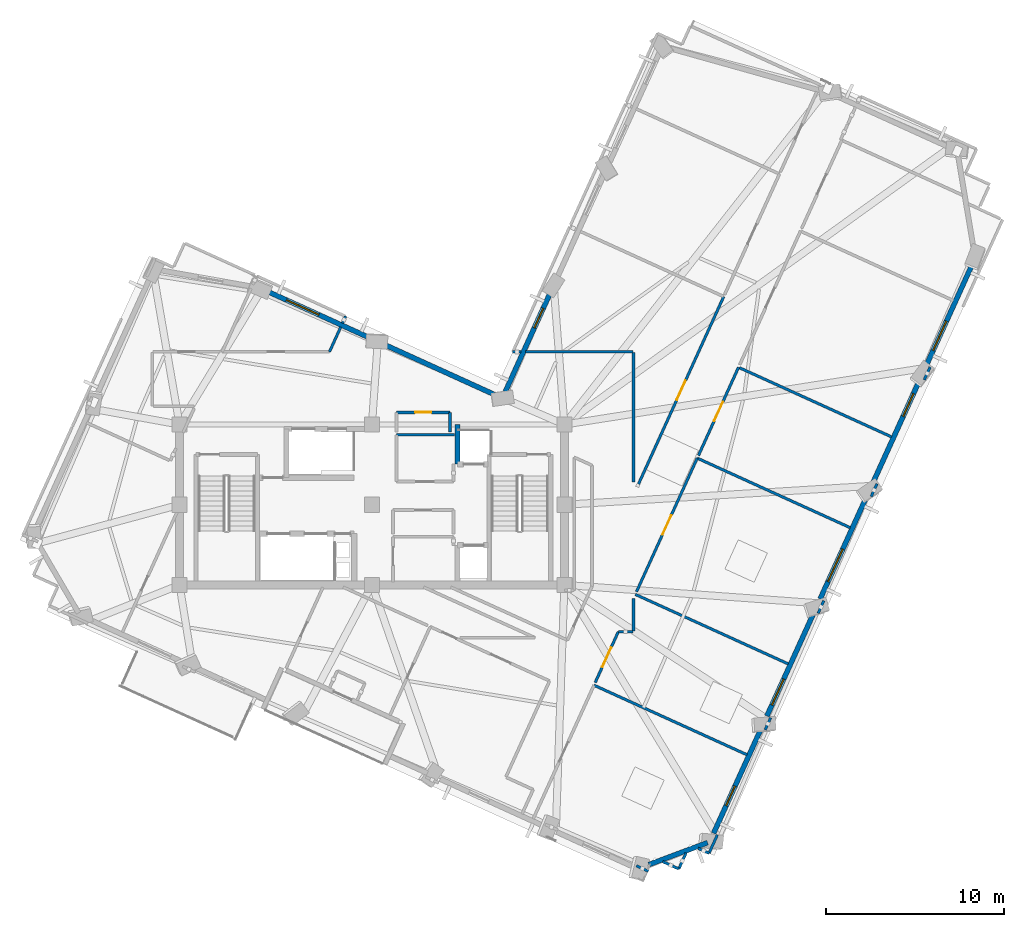
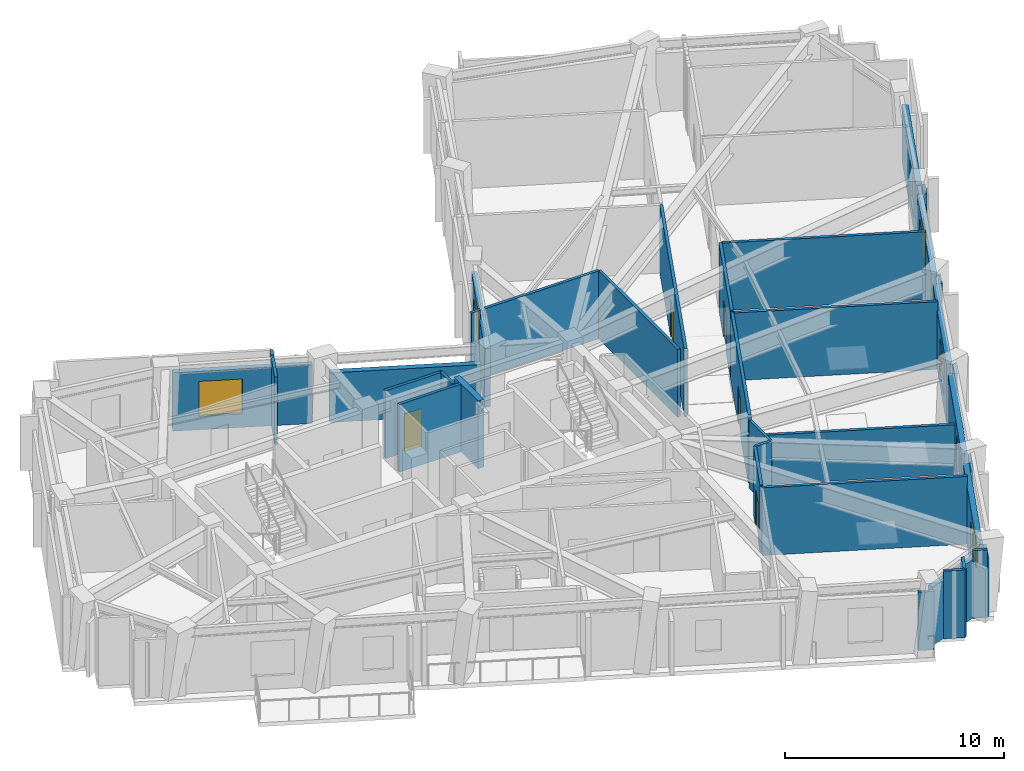
# One storey, part 7 of 13: 37 walls, 7 windows, 5 doors, 12 openings.
"""IFC4 building model written with IfcOpenShell, lengths in metres."""

from ifc_helpers import new_model, si_unit, direction, frame, frame_2d, origin, place, context, subcontext, project, spatial, rectangle, extrude, material, layer, layer_set, type_object, element, fill, save


model = new_model("IFC4")

# Units and contexts
model_context = context("Model", 3, precision=1e-05, world=origin(), true_north=direction((0.0, 1.0)))
body_context = subcontext(model_context, "Body", "Model", "MODEL_VIEW")
ifc_project = project(units=[si_unit("LENGTHUNIT", "METRE"), si_unit("AREAUNIT", "SQUARE_METRE"), si_unit("VOLUMEUNIT", "CUBIC_METRE"), si_unit("PLANEANGLEUNIT", "RADIAN"), si_unit("MASSUNIT", "GRAM", prefix="KILO")], contexts=[model_context])

# Site, building, storey
site_placement = place(None, origin())
site = spatial("IfcSite", under=ifc_project, at=site_placement, CompositionType="ELEMENT")
building_placement = place(site_placement, origin())
building = spatial("IfcBuilding", under=site, at=building_placement, Name="Gaonmaruhae Medical Tower", CompositionType="ELEMENT")
storey_placement = place(building_placement, frame((0.0, 0.0, 304.60009765625)))
storey = spatial("IfcBuildingStorey", under=building, at=storey_placement, Name="L73", CompositionType="ELEMENT", Elevation=304.60009765625)

# Wall, opening, window
ifc_material_1 = material(Name="Precast concrete C45/55", Category="concrete")
ifc_layer_1 = layer(ifc_material_1, 0.280029296875)
ifc_layer_set_1 = layer_set([ifc_layer_1], Name="Precast concrete C45/55")
wall_type_1 = type_object("IfcWallType", Name="EW-280 Upper Precast Masonry-Frame Facade Wall", PredefinedType="SOLIDWALL", material=ifc_layer_set_1)
wall_1_placement = place(storey_placement, frame((46.65869140625, -0.236083984375, 0.0), z_axis=(0.0, 0.0, 1.0), x_axis=(-0.41389938211, -0.910322635931, 0.0)))
wall_1 = element("IfcWall", 1, at=wall_1_placement, inside=storey, type_object=wall_type_1, Name="L73 Precast Masonry-Frame Wall S01-S02", PredefinedType="SOLIDWALL", context=body_context, shape_type="SweptSolid", body=[
    extrude(rectangle(XDim=6.48486328125, YDim=0.280029296875, at=frame_2d((3.242431640625, 0.0))), origin(), (0.0, 0.0, 1.0), 3.264892578125),
])
opening_1_placement = place(wall_1_placement, frame((3.581298828125, 0.0, 0.75)))
opening_1 = element("IfcOpeningElement", 2, at=opening_1_placement, cuts=wall_1, Name="Opening WN-05", PredefinedType="OPENING", context=body_context, shape_type="SweptSolid", body=[
    extrude(rectangle(XDim=1.199951171875, YDim=1.75, at=frame_2d((0.60009765625, 0.875))), frame((0.0, 0.14990234375, 0.0), z_axis=(0.0, -1.0, 0.0), x_axis=(1.0, 0.0, 0.0)), (0.0, 0.0, 1.0), 0.300048828125),
])
ifc_material_2 = material(Name="Anodised aluminium and Low-E double glazing", Category="aluminium")
window_type_1 = type_object("IfcWindowType", Name="WN-05 Support & Staff Punched Window 1200x1750", PartitioningType="SINGLE_PANEL", PredefinedType="WINDOW", material=ifc_material_2)
window_1_placement = place(opening_1_placement, origin())
window_1 = element("IfcWindow", 3, at=window_1_placement, inside=storey, type_object=window_type_1, Name="L73 Modular Facade Window S01", OverallHeight=1.75, OverallWidth=1.199951171875, PartitioningType="SINGLE_PANEL", PredefinedType="WINDOW", context=body_context, shape_type="SweptSolid", body=[
    extrude(rectangle(XDim=1.199951171875, YDim=1.75, at=frame_2d((0.60009765625, 0.875))), frame((0.0, 0.030029296875, 0.0), z_axis=(0.0, -1.0, 0.0), x_axis=(1.0, 0.0, 0.0)), (0.0, 0.0, 1.0), 0.06005859375),
])
fill(opening_1, window_1)

wall_2_placement = place(storey_placement, frame((49.63134765625, 6.3017578125, 0.0), z_axis=(0.0, 0.0, 1.0), x_axis=(-0.413905785978, -0.910319724236, 0.0)))
wall_2 = element("IfcWall", 4, at=wall_2_placement, inside=storey, type_object=wall_type_1, Name="L73 Precast Masonry-Frame Wall S02-S03", PredefinedType="SOLIDWALL", context=body_context, shape_type="SweptSolid", body=[
    extrude(rectangle(XDim=6.438720703125, YDim=0.280029296875, at=frame_2d((3.21923828125, 0.0))), origin(), (0.0, 0.0, 1.0), 3.264892578125),
])
opening_2_placement = place(wall_2_placement, frame((4.15771484375, 0.0, 0.75)))
opening_2 = element("IfcOpeningElement", 5, at=opening_2_placement, cuts=wall_2, Name="Opening WN-01", PredefinedType="OPENING", context=body_context, shape_type="SweptSolid", body=[
    extrude(rectangle(XDim=1.60009765625, YDim=1.949951171875, at=frame_2d((0.800048828125, 0.97509765625))), frame((0.0, 0.14990234375, 0.0), z_axis=(0.0, -1.0, 0.0), x_axis=(1.0, 0.0, 0.0)), (0.0, 0.0, 1.0), 0.300048828125),
])
window_type_2 = type_object("IfcWindowType", Name="WN-01 Ward Punched Acoustic Window 1600x1950", PartitioningType="SINGLE_PANEL", PredefinedType="WINDOW", material=ifc_material_2)
window_2_placement = place(opening_2_placement, origin())
window_2 = element("IfcWindow", 6, at=window_2_placement, inside=storey, type_object=window_type_2, Name="L73 Modular Facade Window S02", OverallHeight=1.949951171875, OverallWidth=1.60009765625, PartitioningType="SINGLE_PANEL", PredefinedType="WINDOW", context=body_context, shape_type="SweptSolid", body=[
    extrude(rectangle(XDim=1.60009765625, YDim=1.949951171875, at=frame_2d((0.800048828125, 0.97509765625))), frame((0.0, 0.030029296875, 0.0), z_axis=(0.0, -1.0, 0.0), x_axis=(1.0, 0.0, 0.0)), (0.0, 0.0, 1.0), 0.06005859375),
])
fill(opening_2, window_2)

wall_3_placement = place(storey_placement, frame((52.60791015625, 12.8486328125, 0.0), z_axis=(0.0, 0.0, 1.0), x_axis=(-0.413897586978, -0.910323452128, 0.0)))
wall_3 = element("IfcWall", 7, at=wall_3_placement, inside=storey, type_object=wall_type_1, Name="L73 Precast Masonry-Frame Wall S03-S04", PredefinedType="SOLIDWALL", context=body_context, shape_type="SweptSolid", body=[
    extrude(rectangle(XDim=6.41357421875, YDim=0.280029296875, at=frame_2d((3.206787109375, 0.0))), origin(), (0.0, 0.0, 1.0), 3.264892578125),
])
opening_3_placement = place(wall_3_placement, frame((3.345703125, 0.0, 0.75)))
opening_3 = element("IfcOpeningElement", 8, at=opening_3_placement, cuts=wall_3, Name="Opening WN-02", PredefinedType="OPENING", context=body_context, shape_type="SweptSolid", body=[
    extrude(rectangle(XDim=2.0, YDim=1.949951171875, at=frame_2d((1.0, 0.97509765625))), frame((0.0, 0.14990234375, 0.0), z_axis=(0.0, -1.0, 0.0), x_axis=(1.0, 0.0, 0.0)), (0.0, 0.0, 1.0), 0.300048828125),
])
window_type_3 = type_object("IfcWindowType", Name="WN-02 Double-Bed Ward Punched Window 2000x1950", PartitioningType="SINGLE_PANEL", PredefinedType="WINDOW", material=ifc_material_2)
window_3_placement = place(opening_3_placement, origin())
window_3 = element("IfcWindow", 9, at=window_3_placement, inside=storey, type_object=window_type_3, Name="L73 Modular Facade Window S03", OverallHeight=1.949951171875, OverallWidth=2.0, PartitioningType="SINGLE_PANEL", PredefinedType="WINDOW", context=body_context, shape_type="SweptSolid", body=[
    extrude(rectangle(XDim=2.0, YDim=1.949951171875, at=frame_2d((1.0, 0.97509765625))), frame((0.0, 0.030029296875, 0.0), z_axis=(0.0, -1.0, 0.0), x_axis=(1.0, 0.0, 0.0)), (0.0, 0.0, 1.0), 0.06005859375),
])
fill(opening_3, window_3)

wall_4_placement = place(storey_placement, frame((55.58837890625, 19.403564453125, 0.0), z_axis=(0.0, 0.0, 1.0), x_axis=(-0.413909168945, -0.910318186055, 0.0)))
wall_4 = element("IfcWall", 10, at=wall_4_placement, inside=storey, type_object=wall_type_1, Name="L73 Precast Masonry-Frame Wall S04-S05", PredefinedType="SOLIDWALL", context=body_context, shape_type="SweptSolid", body=[
    extrude(rectangle(XDim=6.40673828125, YDim=0.280029296875, at=frame_2d((3.203369140625, 0.0))), origin(), (0.0, 0.0, 1.0), 3.264892578125),
])
opening_4_placement = place(wall_4_placement, frame((0.952392578125, 0.0, 0.75)))
opening_4 = element("IfcOpeningElement", 11, at=opening_4_placement, cuts=wall_4, Name="Opening WN-03", PredefinedType="OPENING", context=body_context, shape_type="SweptSolid", body=[
    extrude(rectangle(XDim=1.39990234375, YDim=1.85009765625, at=frame_2d((0.699951171875, 0.925048828125))), frame((0.0, 0.14990234375, 0.0), z_axis=(0.0, -1.0, 0.0), x_axis=(1.0, 0.0, 0.0)), (0.0, 0.0, 1.0), 0.300048828125),
])
window_type_4 = type_object("IfcWindowType", Name="WN-03 Isolation Ward Punched Window 1400x1850", PartitioningType="SINGLE_PANEL", PredefinedType="WINDOW", material=ifc_material_2)
window_4_placement = place(opening_4_placement, origin())
window_4 = element("IfcWindow", 12, at=window_4_placement, inside=storey, type_object=window_type_4, Name="L73 Modular Facade Window S04", OverallHeight=1.85009765625, OverallWidth=1.39990234375, PartitioningType="SINGLE_PANEL", PredefinedType="WINDOW", context=body_context, shape_type="SweptSolid", body=[
    extrude(rectangle(XDim=1.39990234375, YDim=1.85009765625, at=frame_2d((0.699951171875, 0.925048828125))), frame((0.0, 0.030029296875, 0.0), z_axis=(0.0, -1.0, 0.0), x_axis=(1.0, 0.0, 0.0)), (0.0, 0.0, 1.0), 0.06005859375),
])
fill(opening_4, window_4)

wall_5_placement = place(storey_placement, frame((58.572509765625, 25.966796875, 0.0), z_axis=(0.0, 0.0, 1.0), x_axis=(-0.4139233057, -0.910311758135, 0.0)))
wall_5 = element("IfcWall", 13, at=wall_5_placement, inside=storey, type_object=wall_type_1, Name="L73 Precast Masonry-Frame Wall S05-S06", PredefinedType="SOLIDWALL", context=body_context, shape_type="SweptSolid", body=[
    extrude(rectangle(XDim=6.41845703125, YDim=0.280029296875, at=frame_2d((3.209228515625, 0.0))), origin(), (0.0, 0.0, 1.0), 3.264892578125),
])
opening_5_placement = place(wall_5_placement, frame((3.697998046875, 0.0, 0.75)))
opening_5 = element("IfcOpeningElement", 14, at=opening_5_placement, cuts=wall_5, Name="Opening WN-04", PredefinedType="OPENING", context=body_context, shape_type="SweptSolid", body=[
    extrude(rectangle(XDim=1.800048828125, YDim=2.050048828125, at=frame_2d((0.89990234375, 1.02490234375))), frame((0.0, 0.14990234375, 0.0), z_axis=(0.0, -1.0, 0.0), x_axis=(1.0, 0.0, 0.0)), (0.0, 0.0, 1.0), 0.300048828125),
])
window_type_5 = type_object("IfcWindowType", Name="WN-04 Clinic & Consult Punched Window 1800x2050", PartitioningType="SINGLE_PANEL", PredefinedType="WINDOW", material=ifc_material_2)
window_5_placement = place(opening_5_placement, origin())
window_5 = element("IfcWindow", 15, at=window_5_placement, inside=storey, type_object=window_type_5, Name="L73 Modular Facade Window S05", OverallHeight=2.050048828125, OverallWidth=1.800048828125, PartitioningType="SINGLE_PANEL", PredefinedType="WINDOW", context=body_context, shape_type="SweptSolid", body=[
    extrude(rectangle(XDim=1.800048828125, YDim=2.050048828125, at=frame_2d((0.89990234375, 1.02490234375))), frame((0.0, 0.030029296875, 0.0), z_axis=(0.0, -1.0, 0.0), x_axis=(1.0, 0.0, 0.0)), (0.0, 0.0, 1.0), 0.06005859375),
])
fill(opening_5, window_5)

wall_6_placement = place(storey_placement, frame((32.28564453125, 18.647705078125, 0.0), z_axis=(0.0, 0.0, 1.0), x_axis=(0.413925403212, 0.910310804383, 0.0)))
wall_6 = element("IfcWall", 16, at=wall_6_placement, inside=storey, type_object=wall_type_1, Name="L73 Precast Masonry-Frame Wall EN02-KN01", PredefinedType="SOLIDWALL", context=body_context, shape_type="SweptSolid", body=[
    extrude(rectangle(XDim=6.158203125, YDim=0.280029296875, at=frame_2d((3.0791015625, 0.0))), origin(), (0.0, 0.0, 1.0), 3.264892578125),
])
opening_6_placement = place(wall_6_placement, frame((3.935302734375, 0.0, 0.75)))
opening_6 = element("IfcOpeningElement", 17, at=opening_6_placement, cuts=wall_6, Name="Opening WN-05", PredefinedType="OPENING", context=body_context, shape_type="SweptSolid", body=[
    extrude(rectangle(XDim=1.199951171875, YDim=1.75, at=frame_2d((0.60009765625, 0.875))), frame((0.0, 0.14990234375, 0.0), z_axis=(0.0, -1.0, 0.0), x_axis=(1.0, 0.0, 0.0)), (0.0, 0.0, 1.0), 0.300048828125),
])
window_6_placement = place(opening_6_placement, origin())
window_6 = element("IfcWindow", 18, at=window_6_placement, inside=storey, type_object=window_type_1, Name="L73 Modular Facade Window EN02", OverallHeight=1.75, OverallWidth=1.199951171875, PartitioningType="SINGLE_PANEL", PredefinedType="WINDOW", context=body_context, shape_type="SweptSolid", body=[
    extrude(rectangle(XDim=1.199951171875, YDim=1.75, at=frame_2d((0.60009765625, 0.875))), frame((0.0, 0.030029296875, 0.0), z_axis=(0.0, -1.0, 0.0), x_axis=(1.0, 0.0, 0.0)), (0.0, 0.0, 1.0), 0.06005859375),
])
fill(opening_6, window_6)

# Wall
wall_7_placement = place(storey_placement, frame((25.471435546875, 21.300537109375, 0.0), z_axis=(0.0, 0.0, 1.0), x_axis=(0.910323213303, -0.413898112247, 0.0)))
element("IfcWall", 19, at=wall_7_placement, inside=storey, type_object=wall_type_1, Name="L73 Precast Masonry-Frame Wall KN01-NE01", PredefinedType="SOLIDWALL", context=body_context, shape_type="SweptSolid", body=[
    extrude(rectangle(XDim=6.9580078125, YDim=0.280029296875, at=frame_2d((3.47900390625, 0.0))), origin(), (0.0, 0.0, 1.0), 2.764892578125),
])

# Wall, opening, window
wall_8_placement = place(storey_placement, frame((18.906005859375, 24.28564453125, 0.0), z_axis=(0.0, 0.0, 1.0), x_axis=(0.910319616875, -0.413906022101, 0.0)))
wall_8 = element("IfcWall", 20, at=wall_8_placement, inside=storey, type_object=wall_type_1, Name="L73 Precast Masonry-Frame Wall NE01-NE02", PredefinedType="SOLIDWALL", context=body_context, shape_type="SweptSolid", body=[
    extrude(rectangle(XDim=6.424072265625, YDim=0.280029296875, at=frame_2d((3.2119140625, 0.0))), origin(), (0.0, 0.0, 1.0), 3.264892578125),
])
opening_7_placement = place(wall_8_placement, frame((1.201171875, 0.0, 0.75)))
opening_7 = element("IfcOpeningElement", 21, at=opening_7_placement, cuts=wall_8, Name="Opening WN-02", PredefinedType="OPENING", context=body_context, shape_type="SweptSolid", body=[
    extrude(rectangle(XDim=2.0, YDim=1.949951171875, at=frame_2d((1.0, 0.97509765625))), frame((0.0, 0.14990234375, 0.0), z_axis=(0.0, -1.0, 0.0), x_axis=(1.0, 0.0, 0.0)), (0.0, 0.0, 1.0), 0.300048828125),
])
window_7_placement = place(opening_7_placement, origin())
window_7 = element("IfcWindow", 22, at=window_7_placement, inside=storey, type_object=window_type_3, Name="L73 Modular Facade Window NE01", OverallHeight=1.949951171875, OverallWidth=2.0, PartitioningType="SINGLE_PANEL", PredefinedType="WINDOW", context=body_context, shape_type="SweptSolid", body=[
    extrude(rectangle(XDim=2.0, YDim=1.949951171875, at=frame_2d((1.0, 0.97509765625))), frame((0.0, 0.030029296875, 0.0), z_axis=(0.0, -1.0, 0.0), x_axis=(1.0, 0.0, 0.0)), (0.0, 0.0, 1.0), 0.06005859375),
])
fill(opening_7, window_7)

# Walls
wall_9_placement = place(storey_placement, frame((43.6396484375, -6.66455078125, 0.0), z_axis=(0.0, 0.0, 1.0), x_axis=(-0.93637476346, -0.351001855201, 0.0)))
element("IfcWall", 23, at=wall_9_placement, inside=storey, type_object=wall_type_1, Name="L73 Precast Masonry-Frame Wall W06-S01", PredefinedType="SOLIDWALL", context=body_context, shape_type="SweptSolid", body=[
    extrude(rectangle(XDim=3.52099609375, YDim=0.280029296875, at=frame_2d((1.760498046875, 0.0))), origin(), (0.0, 0.0, 1.0), 3.264892578125),
])
ifc_material_3 = material(Name="Gypsum board partition", Category="gypsum")
ifc_layer_2 = layer(ifc_material_3, 0.14990234375)
ifc_layer_set_2 = layer_set([ifc_layer_2], Name="Gypsum board partition")
wall_type_2 = type_object("IfcWallType", Name="PW-150 Rated Clinical Corridor Partition", PredefinedType="PARTITIONING", material=ifc_layer_set_2)
wall_10_placement = place(storey_placement, frame((26.179931640625, 16.219970703125, 0.0), z_axis=(0.0, 0.0, 1.0), x_axis=(1.0, 0.0, 0.0)))
element("IfcWall", 24, at=wall_10_placement, inside=storey, type_object=wall_type_2, Name="L73 Interior Partition L73-RCL2-8", PredefinedType="PARTITIONING", context=body_context, shape_type="SweptSolid", body=[
    extrude(rectangle(XDim=3.260009765625, YDim=0.14990234375, at=frame_2d((1.6298828125, 0.0))), origin(), (0.0, 0.0, 1.0), 3.77978515625),
])

# Wall, opening, door
wall_11_placement = place(storey_placement, frame((26.179931640625, 17.47998046875, 0.0), z_axis=(0.0, 0.0, 1.0), x_axis=(1.0, 0.0, 0.0)))
wall_11 = element("IfcWall", 25, at=wall_11_placement, inside=storey, type_object=wall_type_2, Name="L73 Interior Partition L73-CS2-12", PredefinedType="PARTITIONING", context=body_context, shape_type="SweptSolid", body=[
    extrude(rectangle(XDim=3.0, YDim=0.14990234375, at=frame_2d((1.5, 0.0))), origin(), (0.0, 0.0, 1.0), 3.77978515625),
])
opening_8_placement = place(wall_11_placement, frame((1.0400390625, 0.0, 0.0)))
opening_8 = element("IfcOpeningElement", 26, at=opening_8_placement, cuts=wall_11, Name="Opening UD-01", PredefinedType="OPENING", context=body_context, shape_type="SweptSolid", body=[
    extrude(rectangle(XDim=0.919921875, YDim=2.10009765625, at=frame_2d((0.4599609375, 1.050048828125))), frame((0.0, 0.0849609375, 0.0), z_axis=(0.0, -1.0, 0.0), x_axis=(1.0, 0.0, 0.0)), (0.0, 0.0, 1.0), 0.169921875),
])
ifc_material_4 = material(Name="Powder-coated steel utility door", Category="steel")
door_type_1 = type_object("IfcDoorType", Name="UD-01 Toilet, Utility & Housekeeping Door 920x2100", OperationType="NOTDEFINED", PredefinedType="DOOR", material=ifc_material_4)
door_1_placement = place(opening_8_placement, origin())
door_1 = element("IfcDoor", 27, at=door_1_placement, inside=storey, type_object=door_type_1, Name="L73 Biomedical Telemetry Closet Door", OperationType="SINGLE_SWING_LEFT", OverallHeight=2.10009765625, OverallWidth=0.919921875, PredefinedType="DOOR", context=body_context, shape_type="SweptSolid", body=[
    extrude(rectangle(XDim=0.919921875, YDim=2.10009765625, at=frame_2d((0.4599609375, 1.050048828125))), frame((0.0, 0.02490234375, 0.0), z_axis=(0.0, -1.0, 0.0), x_axis=(1.0, 0.0, 0.0)), (0.0, 0.0, 1.0), 0.050048828125),
])
fill(opening_8, door_1)

# Walls
wall_12_placement = place(storey_placement, frame((29.179931640625, 17.47998046875, 0.0), z_axis=(0.0, 0.0, 1.0), x_axis=(0.0, -1.0, 0.0)))
element("IfcWall", 28, at=wall_12_placement, inside=storey, type_object=wall_type_2, Name="L73 Interior Partition L73-CS2-13", PredefinedType="PARTITIONING", context=body_context, shape_type="SweptSolid", body=[
    extrude(rectangle(XDim=1.10009765625, YDim=0.14990234375, at=frame_2d((0.550048828125, 0.0))), origin(), (0.0, 0.0, 1.0), 3.77978515625),
])
wall_13_placement = place(storey_placement, frame((42.02197265625, -8.139892578125, 0.0), z_axis=(0.0, 0.0, 1.0), x_axis=(-0.910408765684, 0.413709897591, 0.0)))
element("IfcWall", 29, at=wall_13_placement, inside=storey, type_object=wall_type_2, Name="L73 Interior Partition L73-SUP01-14", PredefinedType="PARTITIONING", context=body_context, shape_type="SweptSolid", body=[
    extrude(rectangle(XDim=0.988525390625, YDim=0.14990234375, at=frame_2d((0.494140625, 0.0))), origin(), (0.0, 0.0, 1.0), 3.77978515625),
])
wall_14_placement = place(storey_placement, frame((40.31494140625, -8.27001953125, 0.0), z_axis=(0.0, 0.0, 1.0), x_axis=(-0.91037782258, 0.413777984135, 0.0)))
element("IfcWall", 30, at=wall_14_placement, inside=storey, type_object=wall_type_2, Name="L73 Interior Partition L73-SUP01-15", PredefinedType="PARTITIONING", context=body_context, shape_type="SweptSolid", body=[
    extrude(rectangle(XDim=0.737060546875, YDim=0.14990234375, at=frame_2d((0.36865234375, 0.0))), origin(), (0.0, 0.0, 1.0), 3.264892578125),
])
wall_15_placement = place(storey_placement, frame((37.261962890625, 2.169921875, 0.0), z_axis=(0.0, 0.0, 1.0), x_axis=(0.910331028035, -0.413880924176, 0.0)))
element("IfcWall", 31, at=wall_15_placement, inside=storey, type_object=wall_type_2, Name="L73 Interior Partition L73-SUP01-18", PredefinedType="PARTITIONING", context=body_context, shape_type="SweptSolid", body=[
    extrude(rectangle(XDim=9.43505859375, YDim=0.14990234375, at=frame_2d((4.717529296875, 0.0))), origin(), (0.0, 0.0, 1.0), 3.77978515625),
])
wall_16_placement = place(storey_placement, frame((44.18408203125, -6.235107421875, 0.0), z_axis=(0.0, 0.0, 1.0), x_axis=(-0.413688890668, -0.910418311403, 0.0)))
element("IfcWall", 32, at=wall_16_placement, inside=storey, type_object=wall_type_2, Name="L73 Interior Partition L73-SUP01-19", PredefinedType="PARTITIONING", context=body_context, shape_type="SweptSolid", body=[
    extrude(rectangle(XDim=1.12890625, YDim=0.14990234375, at=frame_2d((0.564453125, 0.0))), origin(), (0.0, 0.0, 1.0), 3.264892578125),
])
wall_17_placement = place(storey_placement, frame((43.717041015625, -7.262939453125, 0.0), z_axis=(0.0, 0.0, 1.0), x_axis=(-0.910128588576, 0.414325901022, 0.0)))
element("IfcWall", 33, at=wall_17_placement, inside=storey, type_object=wall_type_2, Name="L73 Interior Partition L73-SUP01-20", PredefinedType="PARTITIONING", context=body_context, shape_type="SweptSolid", body=[
    extrude(rectangle(XDim=0.668212890625, YDim=0.14990234375, at=frame_2d((0.333984375, 0.0))), origin(), (0.0, 0.0, 1.0), 3.77978515625),
])
wall_18_placement = place(storey_placement, frame((42.429931640625, -7.240966796875, 0.0), z_axis=(0.0, 0.0, 1.0), x_axis=(-0.413262506192, -0.910611937642, 0.0)))
element("IfcWall", 34, at=wall_18_placement, inside=storey, type_object=wall_type_2, Name="L73 Interior Partition L73-SUP01-21", PredefinedType="PARTITIONING", context=body_context, shape_type="SweptSolid", body=[
    extrude(rectangle(XDim=0.987060546875, YDim=0.14990234375, at=frame_2d((0.49365234375, 0.0))), origin(), (0.0, 0.0, 1.0), 3.77978515625),
])
wall_19_placement = place(storey_placement, frame((39.47998046875, 5.199951171875, 0.0), z_axis=(0.0, 0.0, 1.0), x_axis=(0.0, 1.0, 0.0)))
element("IfcWall", 35, at=wall_19_placement, inside=storey, type_object=wall_type_2, Name="L73 Interior Partition L73-SUP02-22", PredefinedType="PARTITIONING", context=body_context, shape_type="SweptSolid", body=[
    extrude(rectangle(XDim=1.84912109375, YDim=0.14990234375, at=frame_2d((0.924560546875, 0.0))), origin(), (0.0, 0.0, 1.0), 3.77978515625),
])
wall_20_placement = place(storey_placement, frame((39.580078125, 7.26806640625, 0.0), z_axis=(0.0, 0.0, 1.0), x_axis=(0.910326595448, -0.413890673513, 0.0)))
element("IfcWall", 36, at=wall_20_placement, inside=storey, type_object=wall_type_2, Name="L73 Interior Partition L73-SUP02-23", PredefinedType="PARTITIONING", context=body_context, shape_type="SweptSolid", body=[
    extrude(rectangle(XDim=9.434814453125, YDim=0.14990234375, at=frame_2d((4.71728515625, 0.0))), origin(), (0.0, 0.0, 1.0), 2.764892578125),
])
wall_21_placement = place(storey_placement, frame((47.176025390625, 0.344970703125, 0.0), z_axis=(0.0, 0.0, 1.0), x_axis=(-0.414718820152, -0.909949614106, 0.0)))
element("IfcWall", 37, at=wall_21_placement, inside=storey, type_object=wall_type_2, Name="L73 Interior Partition L73-SUP02-24", PredefinedType="PARTITIONING", context=body_context, shape_type="SweptSolid", body=[
    extrude(rectangle(XDim=0.742919921875, YDim=0.14990234375, at=frame_2d((0.37158203125, 0.0))), origin(), (0.0, 0.0, 1.0), 3.264892578125),
])

# Wall, opening, door
wall_22_placement = place(storey_placement, frame((37.327880859375, 2.31591796875, 0.0), z_axis=(0.0, 0.0, 1.0), x_axis=(0.414020000743, 0.910267784218, 0.0)))
wall_22 = element("IfcWall", 38, at=wall_22_placement, inside=storey, type_object=wall_type_2, Name="L73 Interior Partition L73-SUP02-25", PredefinedType="PARTITIONING", context=body_context, shape_type="SweptSolid", body=[
    extrude(rectangle(XDim=3.13525390625, YDim=0.14990234375, at=frame_2d((1.567626953125, 0.0))), origin(), (0.0, 0.0, 1.0), 3.77978515625),
])
opening_9_placement = place(wall_22_placement, frame((0.9677734375, 0.0, 0.0)))
opening_9 = element("IfcOpeningElement", 39, at=opening_9_placement, cuts=wall_22, Name="Opening CD-02", PredefinedType="OPENING", context=body_context, shape_type="SweptSolid", body=[
    extrude(rectangle(XDim=1.199951171875, YDim=2.14990234375, at=frame_2d((0.60009765625, 1.074951171875))), frame((0.0, 0.0849609375, 0.0), z_axis=(0.0, -1.0, 0.0), x_axis=(1.0, 0.0, 0.0)), (0.0, 0.0, 1.0), 0.169921875),
])
ifc_material_5 = material(Name="Antimicrobial laminate timber fire door", Category="wood")
door_type_2 = type_object("IfcDoorType", Name="CD-02 Clinical Treatment & Procedure Door 1200x2150", OperationType="NOTDEFINED", PredefinedType="DOOR", material=ifc_material_5)
door_2_placement = place(opening_9_placement, origin())
door_2 = element("IfcDoor", 40, at=door_2_placement, inside=storey, type_object=door_type_2, Name="L73 Clinical Biomedical Charting Office Door", OperationType="SINGLE_SWING_RIGHT", OverallHeight=2.14990234375, OverallWidth=1.199951171875, PredefinedType="DOOR", context=body_context, shape_type="SweptSolid", body=[
    extrude(rectangle(XDim=1.199951171875, YDim=2.14990234375, at=frame_2d((0.60009765625, 1.074951171875))), frame((0.0, 0.02490234375, 0.0), z_axis=(0.0, -1.0, 0.0), x_axis=(1.0, 0.0, 0.0)), (0.0, 0.0, 1.0), 0.050048828125),
])
fill(opening_9, door_2)

# Wall
wall_23_placement = place(storey_placement, frame((38.6259765625, 5.169921875, 0.0), z_axis=(0.0, 0.0, 1.0), x_axis=(1.0, 0.0, 0.0)))
element("IfcWall", 41, at=wall_23_placement, inside=storey, type_object=wall_type_2, Name="L73 Interior Partition L73-SUP02-26", PredefinedType="PARTITIONING", context=body_context, shape_type="SweptSolid", body=[
    extrude(rectangle(XDim=0.826904296875, YDim=0.14990234375, at=frame_2d((0.41357421875, 0.0))), origin(), (0.0, 0.0, 1.0), 3.77978515625),
])

# Wall, opening, door
wall_24_placement = place(storey_placement, frame((39.64599609375, 7.4130859375, 0.0), z_axis=(0.0, 0.0, 1.0), x_axis=(0.413840894574, 0.910349226384, 0.0)))
wall_24 = element("IfcWall", 42, at=wall_24_placement, inside=storey, type_object=wall_type_2, Name="L73 Interior Partition L73-SUP03-27", PredefinedType="PARTITIONING", context=body_context, shape_type="SweptSolid", body=[
    extrude(rectangle(XDim=8.23974609375, YDim=0.14990234375, at=frame_2d((4.119873046875, 0.0))), origin(), (0.0, 0.0, 1.0), 3.77978515625),
])
opening_10_placement = place(wall_24_placement, frame((3.52001953125, 0.0, 0.0)))
opening_10 = element("IfcOpeningElement", 43, at=opening_10_placement, cuts=wall_24, Name="Opening CD-02", PredefinedType="OPENING", context=body_context, shape_type="SweptSolid", body=[
    extrude(rectangle(XDim=1.199951171875, YDim=2.14990234375, at=frame_2d((0.60009765625, 1.074951171875))), frame((0.0, 0.0849609375, 0.0), z_axis=(0.0, -1.0, 0.0), x_axis=(1.0, 0.0, 0.0)), (0.0, 0.0, 1.0), 0.169921875),
])
door_3_placement = place(opening_10_placement, origin())
door_3 = element("IfcDoor", 44, at=door_3_placement, inside=storey, type_object=door_type_2, Name="L73 Clinical Biomedical Charting Office Door", OperationType="SINGLE_SWING_LEFT", OverallHeight=2.14990234375, OverallWidth=1.199951171875, PredefinedType="DOOR", context=body_context, shape_type="SweptSolid", body=[
    extrude(rectangle(XDim=1.199951171875, YDim=2.14990234375, at=frame_2d((0.60009765625, 1.074951171875))), frame((0.0, 0.02490234375, 0.0), z_axis=(0.0, -1.0, 0.0), x_axis=(1.0, 0.0, 0.0)), (0.0, 0.0, 1.0), 0.050048828125),
])
fill(opening_10, door_3)

# Walls
wall_25_placement = place(storey_placement, frame((43.055908203125, 14.9140625, 0.0), z_axis=(0.0, 0.0, 1.0), x_axis=(0.91037002219, -0.413795145813, 0.0)))
element("IfcWall", 45, at=wall_25_placement, inside=storey, type_object=wall_type_2, Name="L73 Interior Partition L73-SUP03-28", PredefinedType="PARTITIONING", context=body_context, shape_type="SweptSolid", body=[
    extrude(rectangle(XDim=9.434814453125, YDim=0.14990234375, at=frame_2d((4.71728515625, 0.0))), origin(), (0.0, 0.0, 1.0), 3.77978515625),
])
wall_26_placement = place(storey_placement, frame((50.1630859375, 6.9150390625, 0.0), z_axis=(0.0, 0.0, 1.0), x_axis=(-0.41401577357, -0.910269706864, 0.0)))
element("IfcWall", 46, at=wall_26_placement, inside=storey, type_object=wall_type_2, Name="L73 Interior Partition L73-SUP03-29", PredefinedType="PARTITIONING", context=body_context, shape_type="SweptSolid", body=[
    extrude(rectangle(XDim=0.77783203125, YDim=0.14990234375, at=frame_2d((0.388916015625, 0.0))), origin(), (0.0, 0.0, 1.0), 3.264892578125),
])

# Wall, opening, door
wall_27_placement = place(storey_placement, frame((43.123046875, 15.06005859375, 0.0), z_axis=(0.0, 0.0, 1.0), x_axis=(0.413819852152, 0.910358791887, 0.0)))
wall_27 = element("IfcWall", 47, at=wall_27_placement, inside=storey, type_object=wall_type_2, Name="L73 Interior Partition L73-SUP04-30", PredefinedType="PARTITIONING", context=body_context, shape_type="SweptSolid", body=[
    extrude(rectangle(XDim=5.439453125, YDim=0.14990234375, at=frame_2d((2.7197265625, 0.0))), origin(), (0.0, 0.0, 1.0), 3.77978515625),
])
opening_11_placement = place(wall_27_placement, frame((2.119873046875, 0.0, 0.0)))
opening_11 = element("IfcOpeningElement", 48, at=opening_11_placement, cuts=wall_27, Name="Opening CD-02", PredefinedType="OPENING", context=body_context, shape_type="SweptSolid", body=[
    extrude(rectangle(XDim=1.199951171875, YDim=2.14990234375, at=frame_2d((0.60009765625, 1.074951171875))), frame((0.0, 0.0849609375, 0.0), z_axis=(0.0, -1.0, 0.0), x_axis=(1.0, 0.0, 0.0)), (0.0, 0.0, 1.0), 0.169921875),
])
door_4_placement = place(opening_11_placement, origin())
door_4 = element("IfcDoor", 49, at=door_4_placement, inside=storey, type_object=door_type_2, Name="L73 Clinical Biomedical Charting Office Door", OperationType="SINGLE_SWING_LEFT", OverallHeight=2.14990234375, OverallWidth=1.199951171875, PredefinedType="DOOR", context=body_context, shape_type="SweptSolid", body=[
    extrude(rectangle(XDim=1.199951171875, YDim=2.14990234375, at=frame_2d((0.60009765625, 1.074951171875))), frame((0.0, 0.02490234375, 0.0), z_axis=(0.0, -1.0, 0.0), x_axis=(1.0, 0.0, 0.0)), (0.0, 0.0, 1.0), 0.050048828125),
])
fill(opening_11, door_4)

# Walls
wall_28_placement = place(storey_placement, frame((45.419921875, 19.990966796875, 0.0), z_axis=(0.0, 0.0, 1.0), x_axis=(0.910331727625, -0.413879385425, 0.0)))
element("IfcWall", 50, at=wall_28_placement, inside=storey, type_object=wall_type_2, Name="L73 Interior Partition L73-SUP04-31", PredefinedType="PARTITIONING", context=body_context, shape_type="SweptSolid", body=[
    extrude(rectangle(XDim=9.384521484375, YDim=0.14990234375, at=frame_2d((4.6923828125, 0.0))), origin(), (0.0, 0.0, 1.0), 3.77978515625),
])
wall_29_placement = place(storey_placement, frame((53.14599609375, 13.47607421875, 0.0), z_axis=(0.0, 0.0, 1.0), x_axis=(-0.412945607797, -0.910755688976, 0.0)))
element("IfcWall", 51, at=wall_29_placement, inside=storey, type_object=wall_type_2, Name="L73 Interior Partition L73-SUP04-32", PredefinedType="PARTITIONING", context=body_context, shape_type="SweptSolid", body=[
    extrude(rectangle(XDim=0.7939453125, YDim=0.14990234375, at=frame_2d((0.39697265625, 0.0))), origin(), (0.0, 0.0, 1.0), 3.264892578125),
])
wall_30_placement = place(storey_placement, frame((56.125, 20.029052734375, 0.0), z_axis=(0.0, 0.0, 1.0), x_axis=(-0.413988734236, -0.910282004615, 0.0)))
element("IfcWall", 52, at=wall_30_placement, inside=storey, type_object=wall_type_2, Name="L73 Interior Partition L73-SUP05-35", PredefinedType="PARTITIONING", context=body_context, shape_type="SweptSolid", body=[
    extrude(rectangle(XDim=0.7919921875, YDim=0.14990234375, at=frame_2d((0.39599609375, 0.0))), origin(), (0.0, 0.0, 1.0), 3.264892578125),
])
wall_31_placement = place(storey_placement, frame((39.449951171875, 20.8798828125, 0.0), z_axis=(0.0, 0.0, 1.0), x_axis=(-1.0, 0.0, 0.0)))
element("IfcWall", 53, at=wall_31_placement, inside=storey, type_object=wall_type_2, Name="L73 Interior Partition L73-IE02-66", PredefinedType="PARTITIONING", context=body_context, shape_type="SweptSolid", body=[
    extrude(rectangle(XDim=6.02294921875, YDim=0.14990234375, at=frame_2d((3.011474609375, 0.0))), origin(), (0.0, 0.0, 1.0), 3.77978515625),
])
wall_32_placement = place(storey_placement, frame((33.174072265625, 20.8798828125, 0.0), z_axis=(0.0, 0.0, 1.0), x_axis=(-1.0, 0.0, 0.0)))
element("IfcWall", 54, at=wall_32_placement, inside=storey, type_object=wall_type_2, Name="L73 Interior Partition L73-IE02-67", PredefinedType="PARTITIONING", context=body_context, shape_type="SweptSolid", body=[
    extrude(rectangle(XDim=0.47802734375, YDim=0.14990234375, at=frame_2d((0.239013671875, 0.0))), origin(), (0.0, 0.0, 1.0), 3.77978515625),
])

# Wall, opening, door
wall_33_placement = place(storey_placement, frame((44.5419921875, 23.98095703125, 0.0), z_axis=(0.0, 0.0, 1.0), x_axis=(-0.413833170361, -0.910352737739, 0.0)))
wall_33 = element("IfcWall", 55, at=wall_33_placement, inside=storey, type_object=wall_type_2, Name="L73 Interior Partition L73-IE02-71", PredefinedType="PARTITIONING", context=body_context, shape_type="SweptSolid", body=[
    extrude(rectangle(XDim=11.5625, YDim=0.14990234375, at=frame_2d((5.78125, 0.0))), origin(), (0.0, 0.0, 1.0), 3.77978515625),
])
opening_12_placement = place(wall_33_placement, frame((5.181396484375, 0.0, 0.0)))
opening_12 = element("IfcOpeningElement", 56, at=opening_12_placement, cuts=wall_33, Name="Opening CD-02", PredefinedType="OPENING", context=body_context, shape_type="SweptSolid", body=[
    extrude(rectangle(XDim=1.199951171875, YDim=2.14990234375, at=frame_2d((0.60009765625, 1.074951171875))), frame((0.0, 0.0849609375, 0.0), z_axis=(0.0, -1.0, 0.0), x_axis=(1.0, 0.0, 0.0)), (0.0, 0.0, 1.0), 0.169921875),
])
door_5_placement = place(opening_12_placement, origin())
door_5 = element("IfcDoor", 57, at=door_5_placement, inside=storey, type_object=door_type_2, Name="L73 Acute Treatment Examination Room Door", OperationType="SINGLE_SWING_LEFT", OverallHeight=2.14990234375, OverallWidth=1.199951171875, PredefinedType="DOOR", context=body_context, shape_type="SweptSolid", body=[
    extrude(rectangle(XDim=1.199951171875, YDim=2.14990234375, at=frame_2d((0.60009765625, 1.074951171875))), frame((0.0, 0.02490234375, 0.0), z_axis=(0.0, -1.0, 0.0), x_axis=(1.0, 0.0, 0.0)), (0.0, 0.0, 1.0), 0.050048828125),
])
fill(opening_12, door_5)

# Walls
wall_34_placement = place(storey_placement, frame((39.47998046875, 13.5810546875, 0.0), z_axis=(0.0, 0.0, 1.0), x_axis=(0.0, 1.0, 0.0)))
element("IfcWall", 58, at=wall_34_placement, inside=storey, type_object=wall_type_2, Name="L73 Interior Partition L73-IE02-72", PredefinedType="PARTITIONING", context=body_context, shape_type="SweptSolid", body=[
    extrude(rectangle(XDim=7.27197265625, YDim=0.14990234375, at=frame_2d((3.635986328125, 0.0))), origin(), (0.0, 0.0, 1.0), 3.77978515625),
])
wall_35_placement = place(storey_placement, frame((23.323974609375, 22.881103515625, 0.0), z_axis=(0.0, 0.0, 1.0), x_axis=(-0.413676071727, -0.910424136148, 0.0)))
element("IfcWall", 59, at=wall_35_placement, inside=storey, type_object=wall_type_2, Name="L73 Interior Partition L73-IN02-83", PredefinedType="PARTITIONING", context=body_context, shape_type="SweptSolid", body=[
    extrude(rectangle(XDim=0.43505859375, YDim=0.14990234375, at=frame_2d((0.217529296875, 0.0))), origin(), (0.0, 0.0, 1.0), 3.77978515625),
])
wall_36_placement = place(storey_placement, frame((23.049072265625, 22.27587890625, 0.0), z_axis=(0.0, 0.0, 1.0), x_axis=(-0.414054798552, -0.910251956217, 0.0)))
element("IfcWall", 60, at=wall_36_placement, inside=storey, type_object=wall_type_2, Name="L73 Interior Partition L73-IN02-84", PredefinedType="PARTITIONING", context=body_context, shape_type="SweptSolid", body=[
    extrude(rectangle(XDim=1.53369140625, YDim=0.14990234375, at=frame_2d((0.766845703125, 0.0))), origin(), (0.0, 0.0, 1.0), 3.77978515625),
])
ifc_material_6 = material(Name="Concrete C50/60", Category="concrete")
ifc_layer_3 = layer(ifc_material_6, 0.300048828125)
ifc_layer_set_3 = layer_set([ifc_layer_3], Name="Concrete C50/60")
wall_type_3 = type_object("IfcWallType", Name="SW-300 Stair & Lift Hoistway Shaft Wall", PredefinedType="SOLIDWALL", material=ifc_layer_set_3)
wall_37_placement = place(storey_placement, frame((29.60009765625, 14.580078125, 0.0), z_axis=(0.0, 0.0, 1.0), x_axis=(0.0, 1.0, 0.0)))
element("IfcWall", 61, at=wall_37_placement, inside=storey, type_object=wall_type_3, Name="L73 Shaft Enclosure Wall SHW-PLD2", PredefinedType="SOLIDWALL", context=body_context, shape_type="SweptSolid", body=[
    extrude(rectangle(XDim=2.219970703125, YDim=0.300048828125, at=frame_2d((1.10986328125, 0.0))), origin(), (0.0, 0.0, 1.0), 3.77978515625),
])

save(model, "model.ifc")
